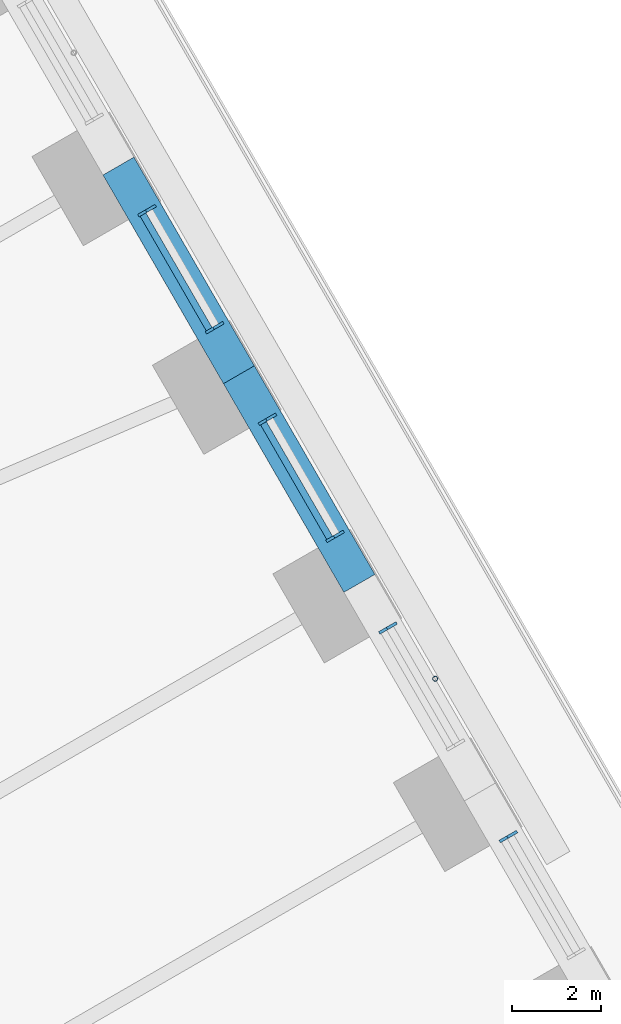
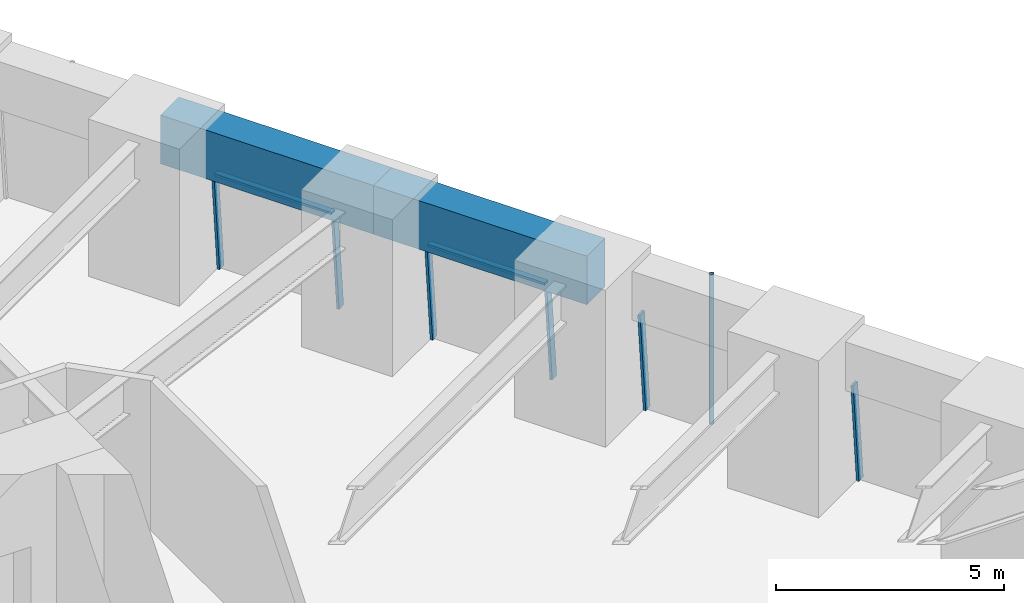
# One storey, part 13 of 23: 9 members, 2 beams, 4 elements without a shape of their own.
"""IFC4 building model written with IfcOpenShell, lengths in metres."""

from ifc_helpers import new_model, si_unit, direction, frame, origin, origin_2d, place, context, subcontext, project, spatial, rectangle, hollow_circle, extrude, material, material_profile, profile_set, type_object, element, aggregate, save


model = new_model("IFC4")

# Units and contexts
model_context = context("Model", 3, precision=1e-05, world=origin(), true_north=direction((0.0, 1.0)))
body_context = subcontext(model_context, "Body", "Model", "MODEL_VIEW")
ifc_project = project(units=[si_unit("LENGTHUNIT", "METRE"), si_unit("AREAUNIT", "SQUARE_METRE"), si_unit("VOLUMEUNIT", "CUBIC_METRE"), si_unit("PLANEANGLEUNIT", "RADIAN"), si_unit("MASSUNIT", "GRAM", prefix="KILO")], contexts=[model_context])

# Site, building, storey
site_placement = place(None, origin())
site = spatial("IfcSite", under=ifc_project, at=site_placement, CompositionType="ELEMENT")
building_placement = place(site_placement, origin())
building = spatial("IfcBuilding", under=site, at=building_placement, Name="Tarfa Lantern Tower", CompositionType="ELEMENT")
storey_placement = place(building_placement, frame((0.0, 0.0, 36.10009765625)))
storey = spatial("IfcBuildingStorey", under=building, at=storey_placement, Name="L07", CompositionType="ELEMENT", Elevation=36.10009765625)

# Curtain wall, member
ifc_material_1 = material(Name="Aluminium framed curtain wall", Category="aluminium")
curtain_wall_type = type_object("IfcCurtainWallType", Name="CW1 CANTED GLAZING LOW ZONE 2700", PredefinedType="USERDEFINED", material=ifc_material_1)
curtain_wall_1_placement = place(storey_placement, origin())
curtain_wall_1 = element("IfcCurtainWall", 1, at=curtain_wall_1_placement, inside=storey, type_object=curtain_wall_type, Name="CW1 NE L07", ObjectType="CURTAIN WALL", PredefinedType="USERDEFINED")
ifc_material_2 = material(Name="Aluminium mullion", Category="aluminium")
ifc_material_profile_1 = material_profile(ifc_material_2, rectangle(XDim=0.06494140625, YDim=0.199951171875, at=origin_2d()), Name="AL MULLION 65x200")
ifc_profile_set_1 = profile_set([ifc_material_profile_1], Name="Aluminium mullion")
member_type_1 = type_object("IfcMemberType", Name="CWM1 MULLION 65x200", PredefinedType="MULLION", material=ifc_profile_set_1)
member_1_placement = place(storey_placement, frame((35.338134765625, 6.592529296875, 0.0), z_axis=(-0.07986442134, -0.046099868913, 0.99573916077), x_axis=(0.499919672301, -0.866071776036, 0.0)))
member_1 = element("IfcMember", 2, at=member_1_placement, type_object=member_type_1, Name="CW1 mullion 2", PredefinedType="MULLION", context=body_context, shape_type="SweptSolid", body=[
    extrude(rectangle(XDim=0.06494140625, YDim=0.199951171875, at=origin_2d()), origin(), (0.0, 0.0, 1.0), 2.71142578125),
])
aggregate(curtain_wall_1, [member_1])

curtain_wall_2_placement = place(storey_placement, origin())
curtain_wall_2 = element("IfcCurtainWall", 3, at=curtain_wall_2_placement, inside=storey, type_object=curtain_wall_type, Name="CW1 NE L07", ObjectType="CURTAIN WALL", PredefinedType="USERDEFINED")
member_2_placement = place(storey_placement, frame((32.643798828125, 11.25927734375, 0.0), z_axis=(-0.07986442134, -0.046099868913, 0.99573916077), x_axis=(0.499919672301, -0.866071776036, 0.0)))
member_2 = element("IfcMember", 4, at=member_2_placement, type_object=member_type_1, Name="CW1 mullion 2", PredefinedType="MULLION", context=body_context, shape_type="SweptSolid", body=[
    extrude(rectangle(XDim=0.06494140625, YDim=0.199951171875, at=origin_2d()), origin(), (0.0, 0.0, 1.0), 2.71142578125),
])
aggregate(curtain_wall_2, [member_2])

# Curtain wall, members
curtain_wall_3_placement = place(storey_placement, origin())
curtain_wall_3 = element("IfcCurtainWall", 5, at=curtain_wall_3_placement, inside=storey, type_object=curtain_wall_type, Name="CW1 NE L07", ObjectType="CURTAIN WALL", PredefinedType="USERDEFINED")
member_3_placement = place(storey_placement, frame((31.46142578125, 13.307373046875, 0.0), z_axis=(-0.07986442134, -0.046099868913, 0.99573916077), x_axis=(0.499919672301, -0.866071776036, 0.0)))
member_3 = element("IfcMember", 6, at=member_3_placement, type_object=member_type_1, Name="CW1 mullion 1", PredefinedType="MULLION", context=body_context, shape_type="SweptSolid", body=[
    extrude(rectangle(XDim=0.06494140625, YDim=0.199951171875, at=origin_2d()), origin(), (0.0, 0.0, 1.0), 2.71142578125),
])
member_4_placement = place(storey_placement, frame((29.949462890625, 15.926025390625, 0.0), z_axis=(-0.07986442134, -0.046099868913, 0.99573916077), x_axis=(0.499919672301, -0.866071776036, 0.0)))
member_4 = element("IfcMember", 7, at=member_4_placement, type_object=member_type_1, Name="CW1 mullion 2", PredefinedType="MULLION", context=body_context, shape_type="SweptSolid", body=[
    extrude(rectangle(XDim=0.06494140625, YDim=0.199951171875, at=origin_2d()), origin(), (0.0, 0.0, 1.0), 2.71142578125),
])

curtain_wall_4_placement = place(storey_placement, origin())
curtain_wall_4 = element("IfcCurtainWall", 8, at=curtain_wall_4_placement, inside=storey, type_object=curtain_wall_type, Name="CW1 NE L07", ObjectType="CURTAIN WALL", PredefinedType="USERDEFINED")
member_5_placement = place(storey_placement, frame((28.76708984375, 17.97412109375, 0.0), z_axis=(-0.07986442134, -0.046099868913, 0.99573916077), x_axis=(0.499919672301, -0.866071776036, 0.0)))
member_5 = element("IfcMember", 9, at=member_5_placement, type_object=member_type_1, Name="CW1 mullion 1", PredefinedType="MULLION", context=body_context, shape_type="SweptSolid", body=[
    extrude(rectangle(XDim=0.06494140625, YDim=0.199951171875, at=origin_2d()), origin(), (0.0, 0.0, 1.0), 2.71142578125),
])
member_6_placement = place(storey_placement, frame((27.255126953125, 20.592529296875, 0.0), z_axis=(-0.079774955866, -0.04610020023, 0.995746317068), x_axis=(0.500342721131, -0.865827443207, 0.0)))
member_6 = element("IfcMember", 10, at=member_6_placement, type_object=member_type_1, Name="CW1 mullion 2", PredefinedType="MULLION", context=body_context, shape_type="SweptSolid", body=[
    extrude(rectangle(XDim=0.06494140625, YDim=0.199951171875, at=origin_2d()), origin(), (0.0, 0.0, 1.0), 2.71142578125),
])

# Member
ifc_material_3 = material(Name="Aluminium transom", Category="aluminium")
ifc_material_profile_2 = material_profile(ifc_material_3, rectangle(XDim=0.14990234375, YDim=0.06494140625, at=origin_2d()), Name="AL TRANSOM 150x65")
ifc_profile_set_2 = profile_set([ifc_material_profile_2], Name="Aluminium transom")
member_type_2 = type_object("IfcMemberType", Name="CWT1 TRANSOM 150x65", PredefinedType="USERDEFINED", material=ifc_profile_set_2)
member_7_placement = place(storey_placement, frame((31.231201171875, 13.212158203125, 2.66748046875), z_axis=(-0.500017718492, 0.866015173767, 0.0), x_axis=(-0.866015173767, -0.500017718492, 0.0)))
member_7 = element("IfcMember", 11, at=member_7_placement, type_object=member_type_2, Name="CW1 transom 1.2", ObjectType="TRANSOM", PredefinedType="USERDEFINED", context=body_context, shape_type="SweptSolid", body=[
    extrude(rectangle(XDim=0.14990234375, YDim=0.06494140625, at=origin_2d()), origin(), (0.0, 0.0, 1.0), 2.95849609375),
])

aggregate(curtain_wall_3, [member_3, member_4, member_7])

member_8_placement = place(storey_placement, frame((28.536865234375, 17.878662109375, 2.66748046875), z_axis=(-0.499981985492, 0.866035804215, 0.0), x_axis=(-0.866035804215, -0.499981985492, 0.0)))
member_8 = element("IfcMember", 12, at=member_8_placement, type_object=member_type_2, Name="CW1 transom 1.2", ObjectType="TRANSOM", PredefinedType="USERDEFINED", context=body_context, shape_type="SweptSolid", body=[
    extrude(rectangle(XDim=0.14990234375, YDim=0.06494140625, at=origin_2d()), origin(), (0.0, 0.0, 1.0), 2.95849609375),
])

aggregate(curtain_wall_4, [member_5, member_6, member_8])

# Beams
ifc_material_4 = material(Name="Concrete C80/95", Category="concrete")
ifc_material_profile_3 = material_profile(ifc_material_4, rectangle(XDim=0.800048828125, YDim=1.300048828125, at=origin_2d()), Name="RC 800x1300")
ifc_profile_set_3 = profile_set([ifc_material_profile_3], Name="Concrete C80/95")
beam_type = type_object("IfcBeamType", Name="EB1 RC 800x1300", PredefinedType="SPANDREL", material=ifc_profile_set_3)
beam_1_placement = place(storey_placement, frame((31.896728515625, 12.193359375, 3.349853515625), z_axis=(-0.499998287579, 0.866026392449, 0.0), x_axis=(-0.866026392449, -0.499998287579, 0.0)))
element("IfcBeam", 13, at=beam_1_placement, inside=storey, type_object=beam_type, Name="Edge beam NE2", PredefinedType="SPANDREL", context=body_context, shape_type="SweptSolid", body=[
    extrude(rectangle(XDim=0.800048828125, YDim=1.300048828125, at=origin_2d()), origin(), (0.0, 0.0, 1.0), 5.388671875),
])
beam_2_placement = place(storey_placement, frame((29.202392578125, 16.860107421875, 3.349853515625), z_axis=(-0.500017906299, 0.866015065331, 0.0), x_axis=(-0.866015065331, -0.500017906299, 0.0)))
element("IfcBeam", 14, at=beam_2_placement, inside=storey, type_object=beam_type, Name="Edge beam NE3", PredefinedType="SPANDREL", context=body_context, shape_type="SweptSolid", body=[
    extrude(rectangle(XDim=0.800048828125, YDim=1.300048828125, at=origin_2d()), origin(), (0.0, 0.0, 1.0), 5.388427734375),
])

# Member
ifc_material_5 = material(Name="Steel S355", Category="steel")
ifc_material_profile_4 = material_profile(ifc_material_5, hollow_circle(Radius=0.05712890625, WallThickness=0.00634765625, at=origin_2d()), Name="CHS114.3x6.3")
ifc_profile_set_4 = profile_set([ifc_material_profile_4], Name="Steel S355")
member_type_3 = type_object("IfcMemberType", Name="TR1 GREEN WALL TRELLIS CHS114.3x6.3", PredefinedType="USERDEFINED", material=ifc_profile_set_4)
member_9_placement = place(storey_placement, frame((33.59033203125, 10.06005859375, 0.0), z_axis=(0.0, 0.0, 1.0), x_axis=(1.0, 0.0, 0.0)))
element("IfcMember", 15, at=member_9_placement, inside=storey, type_object=member_type_3, Name="Trellis post NE 1", ObjectType="TRELLIS", PredefinedType="USERDEFINED", context=body_context, shape_type="SweptSolid", body=[
    extrude(hollow_circle(Radius=0.05712890625, WallThickness=0.00634765625, at=origin_2d()), origin(), (0.0, 0.0, 1.0), 4.0),
])

save(model, "model.ifc")
